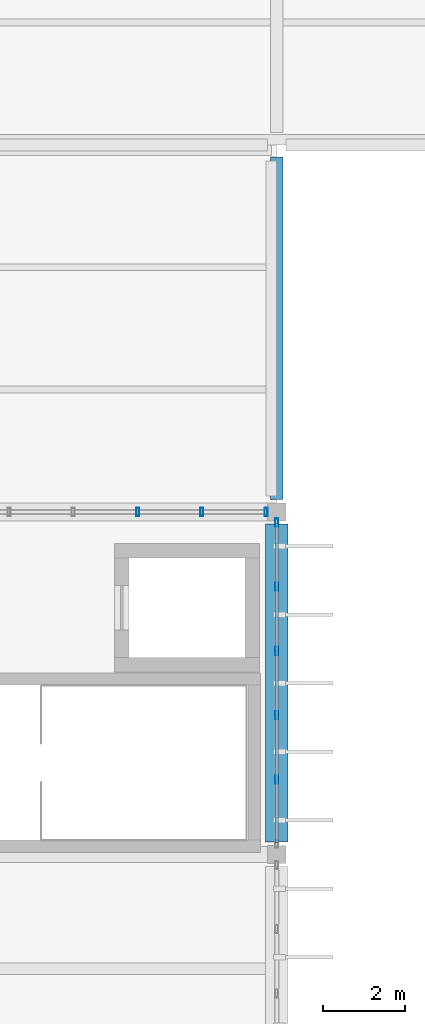
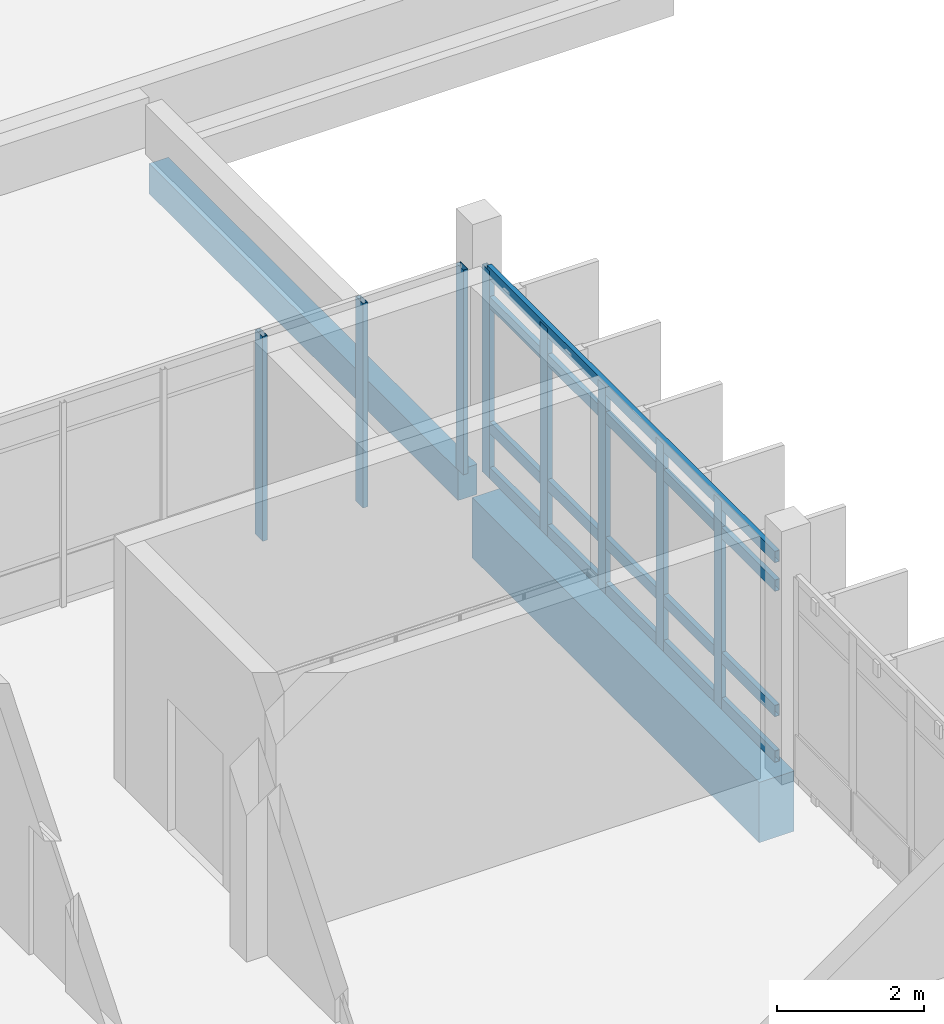
# One storey, part 33 of 62: 12 members, 2 beams, 2 elements without a shape of their own.
"""IFC4 building model written with IfcOpenShell, lengths in metres."""

from ifc_helpers import new_model, si_unit, direction, frame, origin, origin_2d, place, context, subcontext, project, spatial, rectangle, hollow_rectangle, extrude, material, layer, layer_set, material_profile, profile_set, type_object, element, aggregate, save


model = new_model("IFC4")

# Units and contexts
model_context = context("Model", 3, precision=1e-05, world=origin(), true_north=direction((0.0, 1.0)))
body_context = subcontext(model_context, "Body", "Model", "MODEL_VIEW")
ifc_project = project(units=[si_unit("LENGTHUNIT", "METRE"), si_unit("AREAUNIT", "SQUARE_METRE"), si_unit("VOLUMEUNIT", "CUBIC_METRE"), si_unit("PLANEANGLEUNIT", "RADIAN"), si_unit("MASSUNIT", "GRAM", prefix="KILO")], contexts=[model_context])

# Site, building, storey
site_placement = place(None, origin())
site = spatial("IfcSite", under=ifc_project, at=site_placement, CompositionType="ELEMENT")
building_placement = place(site_placement, origin())
building = spatial("IfcBuilding", under=site, at=building_placement, Name="Vireocrest Preparatory School", CompositionType="ELEMENT")
storey_placement = place(building_placement, frame((0.0, 0.0, 17.39990234375)))
storey = spatial("IfcBuildingStorey", under=building, at=storey_placement, Name="L04", CompositionType="ELEMENT", Elevation=17.39990234375)

# Curtain wall, members
ifc_material_1 = material(Name="Thermally broken aluminium EN AW-6063-T6", Category="aluminium")
ifc_layer_1 = layer(ifc_material_1, 0.179931640625)
ifc_layer_set_1 = layer_set([ifc_layer_1], Name="Thermally broken aluminium EN AW-6063-T6")
curtain_wall_type_1 = type_object("IfcCurtainWallType", Name="Teaching Fin Curtain Wall 8400x4200", PredefinedType="USERDEFINED", material=ifc_layer_set_1)
curtain_wall_1_placement = place(storey_placement, origin())
curtain_wall_1 = element("IfcCurtainWall", 1, at=curtain_wall_1_placement, inside=storey, type_object=curtain_wall_type_1, Name="Curtain Wall CW03 CW_L04_CW03_1092_0776_174", ObjectType="CURTAIN WALL", PredefinedType="USERDEFINED")
ifc_material_profile_1 = material_profile(ifc_material_1, hollow_rectangle(XDim=0.074951171875, YDim=0.199951171875, WallThickness=0.0048828125, at=origin_2d()), Name="ALU 75x200x5")
ifc_profile_set_1 = profile_set([ifc_material_profile_1], Name="Thermally broken aluminium EN AW-6063-T6")
member_type_1 = type_object("IfcMemberType", Name="CW Mullion 75x200x5", PredefinedType="MULLION", material=ifc_profile_set_1)
member_1_placement = place(storey_placement, frame((109.199951171875, 79.236083984375, 0.0), z_axis=(0.0, 0.0, 1.0), x_axis=(1.0, 0.0, 0.0)))
member_1 = element("IfcMember", 2, at=member_1_placement, type_object=member_type_1, Name="CW Mullion ML3 CW_L04_CW03_1092_0776_174-2", PredefinedType="MULLION", context=body_context, shape_type="SweptSolid", body=[
    extrude(hollow_rectangle(XDim=0.074951171875, YDim=0.199951171875, WallThickness=0.0048828125, at=origin_2d()), origin(), (0.0, 0.0, 1.0), 3.445068359375),
])
member_2_placement = place(storey_placement, frame((109.199951171875, 80.81201171875, 0.0), z_axis=(0.0, 0.0, 1.0), x_axis=(1.0, 0.0, 0.0)))
member_2 = element("IfcMember", 3, at=member_2_placement, type_object=member_type_1, Name="CW Mullion ML3 CW_L04_CW03_1092_0776_174-3", PredefinedType="MULLION", context=body_context, shape_type="SweptSolid", body=[
    extrude(hollow_rectangle(XDim=0.074951171875, YDim=0.199951171875, WallThickness=0.0048828125, at=origin_2d()), origin(), (0.0, 0.0, 1.0), 3.445068359375),
])
member_3_placement = place(storey_placement, frame((109.199951171875, 82.387939453125, 0.0), z_axis=(0.0, 0.0, 1.0), x_axis=(1.0, 0.0, 0.0)))
member_3 = element("IfcMember", 4, at=member_3_placement, type_object=member_type_1, Name="CW Mullion ML3 CW_L04_CW03_1092_0776_174-4", PredefinedType="MULLION", context=body_context, shape_type="SweptSolid", body=[
    extrude(hollow_rectangle(XDim=0.074951171875, YDim=0.199951171875, WallThickness=0.0048828125, at=origin_2d()), origin(), (0.0, 0.0, 1.0), 3.445068359375),
])
member_4_placement = place(storey_placement, frame((109.199951171875, 83.964111328125, 0.0), z_axis=(0.0, 0.0, 1.0), x_axis=(1.0, 0.0, 0.0)))
member_4 = element("IfcMember", 5, at=member_4_placement, type_object=member_type_1, Name="CW Mullion ML3 CW_L04_CW03_1092_0776_174-5", PredefinedType="MULLION", context=body_context, shape_type="SweptSolid", body=[
    extrude(hollow_rectangle(XDim=0.074951171875, YDim=0.199951171875, WallThickness=0.0048828125, at=origin_2d()), origin(), (0.0, 0.0, 1.0), 3.445068359375),
])
member_5_placement = place(storey_placement, frame((109.199951171875, 85.5400390625, 0.0), z_axis=(0.0, 0.0, 1.0), x_axis=(1.0, 0.0, 0.0)))
member_5 = element("IfcMember", 6, at=member_5_placement, type_object=member_type_1, Name="CW Mullion ML3 CW_L04_CW03_1092_0776_174-6", PredefinedType="MULLION", context=body_context, shape_type="SweptSolid", body=[
    extrude(hollow_rectangle(XDim=0.074951171875, YDim=0.199951171875, WallThickness=0.0048828125, at=origin_2d()), origin(), (0.0, 0.0, 1.0), 3.445068359375),
])

ifc_layer_2 = layer(ifc_material_1, 0.179931640625)
ifc_layer_set_2 = layer_set([ifc_layer_2], Name="Thermally broken aluminium EN AW-6063-T6")
curtain_wall_type_2 = type_object("IfcCurtainWallType", Name="Stair Core Daylit Strip 4200x4200", PredefinedType="USERDEFINED", material=ifc_layer_set_2)
curtain_wall_2_placement = place(storey_placement, origin())
curtain_wall_2 = element("IfcCurtainWall", 7, at=curtain_wall_2_placement, inside=storey, type_object=curtain_wall_type_2, Name="Curtain Wall CW18 CW_L04_CW18_1010_0858_174", ObjectType="CURTAIN WALL", PredefinedType="USERDEFINED")
member_6_placement = place(storey_placement, frame((105.7880859375, 85.800048828125, 0.0), z_axis=(0.0, 0.0, 1.0), x_axis=(1.0, 0.0, 0.0)))
member_6 = element("IfcMember", 8, at=member_6_placement, type_object=member_type_1, Name="CW Mullion ML3 CW_L04_CW18_1010_0858_174-4", PredefinedType="MULLION", context=body_context, shape_type="SweptSolid", body=[
    extrude(hollow_rectangle(XDim=0.074951171875, YDim=0.199951171875, WallThickness=0.0048828125, at=origin_2d()), origin(), (0.0, 0.0, 1.0), 3.39501953125),
])
member_7_placement = place(storey_placement, frame((107.364013671875, 85.800048828125, 0.0), z_axis=(0.0, 0.0, 1.0), x_axis=(1.0, 0.0, 0.0)))
member_7 = element("IfcMember", 9, at=member_7_placement, type_object=member_type_1, Name="CW Mullion ML3 CW_L04_CW18_1010_0858_174-5", PredefinedType="MULLION", context=body_context, shape_type="SweptSolid", body=[
    extrude(hollow_rectangle(XDim=0.074951171875, YDim=0.199951171875, WallThickness=0.0048828125, at=origin_2d()), origin(), (0.0, 0.0, 1.0), 3.39501953125),
])
member_8_placement = place(storey_placement, frame((108.93994140625, 85.800048828125, 0.0), z_axis=(0.0, 0.0, 1.0), x_axis=(1.0, 0.0, 0.0)))
member_8 = element("IfcMember", 10, at=member_8_placement, type_object=member_type_1, Name="CW Mullion ML3 CW_L04_CW18_1010_0858_174-6", PredefinedType="MULLION", context=body_context, shape_type="SweptSolid", body=[
    extrude(hollow_rectangle(XDim=0.074951171875, YDim=0.199951171875, WallThickness=0.0048828125, at=origin_2d()), origin(), (0.0, 0.0, 1.0), 3.39501953125),
])
aggregate(curtain_wall_2, [member_6, member_7, member_8])

# Member
ifc_material_profile_2 = material_profile(ifc_material_1, hollow_rectangle(XDim=0.074951171875, YDim=0.18994140625, WallThickness=0.00390625, at=origin_2d()), Name="ALU 75x190x4")
ifc_profile_set_2 = profile_set([ifc_material_profile_2], Name="Thermally broken aluminium EN AW-6063-T6")
member_type_2 = type_object("IfcMemberType", Name="CW Transom 75x190x4", PredefinedType="USERDEFINED", material=ifc_profile_set_2)
member_9_placement = place(storey_placement, frame((109.199951171875, 77.68505859375, 0.09521484375), z_axis=(0.0, 1.0, 0.0), x_axis=(-1.0, 0.0, 0.0)))
member_9 = element("IfcMember", 11, at=member_9_placement, type_object=member_type_2, Name="CW Transom TR3 CW_L04_CW03_1092_0776_174-1", ObjectType="TRANSOM", PredefinedType="USERDEFINED", context=body_context, shape_type="SweptSolid", body=[
    extrude(hollow_rectangle(XDim=0.074951171875, YDim=0.18994140625, WallThickness=0.00390625, at=origin_2d()), origin(), (0.0, 0.0, 1.0), 7.829833984375),
])

member_10_placement = place(storey_placement, frame((109.199951171875, 77.68505859375, 0.85009765625), z_axis=(0.0, 1.0, 0.0), x_axis=(-1.0, 0.0, 0.0)))
member_10 = element("IfcMember", 12, at=member_10_placement, type_object=member_type_2, Name="CW Transom TR3 CW_L04_CW03_1092_0776_174-2", ObjectType="TRANSOM", PredefinedType="USERDEFINED", context=body_context, shape_type="SweptSolid", body=[
    extrude(hollow_rectangle(XDim=0.074951171875, YDim=0.18994140625, WallThickness=0.00390625, at=origin_2d()), origin(), (0.0, 0.0, 1.0), 7.829833984375),
])

member_11_placement = place(storey_placement, frame((109.199951171875, 77.68505859375, 2.93017578125), z_axis=(0.0, 1.0, 0.0), x_axis=(-1.0, 0.0, 0.0)))
member_11 = element("IfcMember", 13, at=member_11_placement, type_object=member_type_2, Name="CW Transom TR3 CW_L04_CW03_1092_0776_174-3", ObjectType="TRANSOM", PredefinedType="USERDEFINED", context=body_context, shape_type="SweptSolid", body=[
    extrude(hollow_rectangle(XDim=0.074951171875, YDim=0.18994140625, WallThickness=0.00390625, at=origin_2d()), origin(), (0.0, 0.0, 1.0), 7.829833984375),
])

member_12_placement = place(storey_placement, frame((109.199951171875, 77.68505859375, 3.405029296875), z_axis=(0.0, 1.0, 0.0), x_axis=(-1.0, 0.0, 0.0)))
member_12 = element("IfcMember", 14, at=member_12_placement, type_object=member_type_2, Name="CW Transom TR3 CW_L04_CW03_1092_0776_174-4", ObjectType="TRANSOM", PredefinedType="USERDEFINED", context=body_context, shape_type="SweptSolid", body=[
    extrude(hollow_rectangle(XDim=0.074951171875, YDim=0.18994140625, WallThickness=0.00390625, at=origin_2d()), origin(), (0.0, 0.0, 1.0), 7.829833984375),
])

aggregate(curtain_wall_1, [member_1, member_2, member_3, member_4, member_5, member_9, member_10, member_11, member_12])

# Beams
ifc_material_2 = material(Name="Concrete 40 MPa", Category="concrete")
ifc_material_profile_3 = material_profile(ifc_material_2, rectangle(XDim=0.550048828125, YDim=1.0, at=origin_2d()), Name="RC 550x1000")
ifc_profile_set_3 = profile_set([ifc_material_profile_3], Name="Concrete 40 MPa")
beam_type_1 = type_object("IfcBeamType", Name="RC Core Coupling Beam 550x1000", PredefinedType="BEAM", material=ifc_profile_set_3)
beam_1_placement = place(storey_placement, frame((109.199951171875, 77.699951171875, -0.760009765625), z_axis=(0.0, 1.0, 0.0), x_axis=(-1.0, 0.0, 0.0)))
element("IfcBeam", 15, at=beam_1_placement, inside=storey, type_object=beam_type_1, Name="Primary Girder B18 L04-1415", PredefinedType="BEAM", context=body_context, shape_type="SweptSolid", body=[
    extrude(rectangle(XDim=0.550048828125, YDim=1.0, at=origin_2d()), origin(), (0.0, 0.0, 1.0), 7.800048828125),
])
ifc_material_profile_4 = material_profile(ifc_material_2, rectangle(XDim=0.300048828125, YDim=0.5, at=origin_2d()), Name="RC 300x500")
ifc_profile_set_4 = profile_set([ifc_material_profile_4], Name="Concrete 40 MPa")
beam_type_2 = type_object("IfcBeamType", Name="RC Roof Edge Beam 300x500", PredefinedType="BEAM", material=ifc_profile_set_4)
beam_2_placement = place(storey_placement, frame((109.199951171875, 86.10009765625, -0.469970703125), z_axis=(0.0, 1.0, 0.0), x_axis=(-1.0, 0.0, 0.0)))
element("IfcBeam", 16, at=beam_2_placement, inside=storey, type_object=beam_type_2, Name="Primary Girder B01 L04-1416", PredefinedType="BEAM", context=body_context, shape_type="SweptSolid", body=[
    extrude(rectangle(XDim=0.300048828125, YDim=0.5, at=origin_2d()), origin(), (0.0, 0.0, 1.0), 8.39990234375),
])

save(model, "model.ifc")
